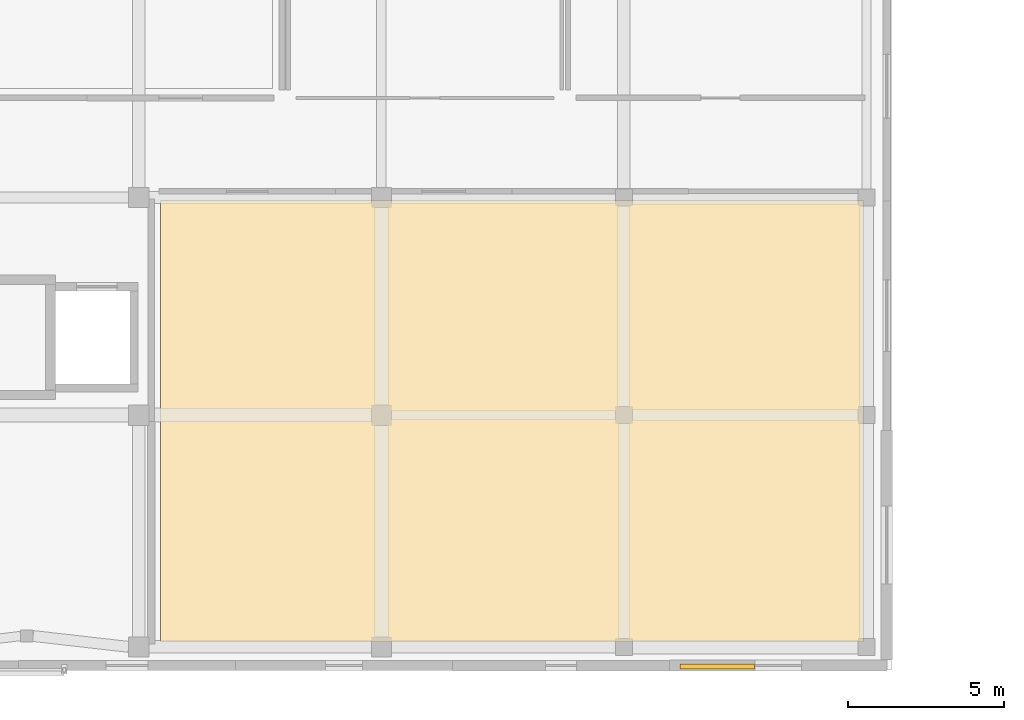
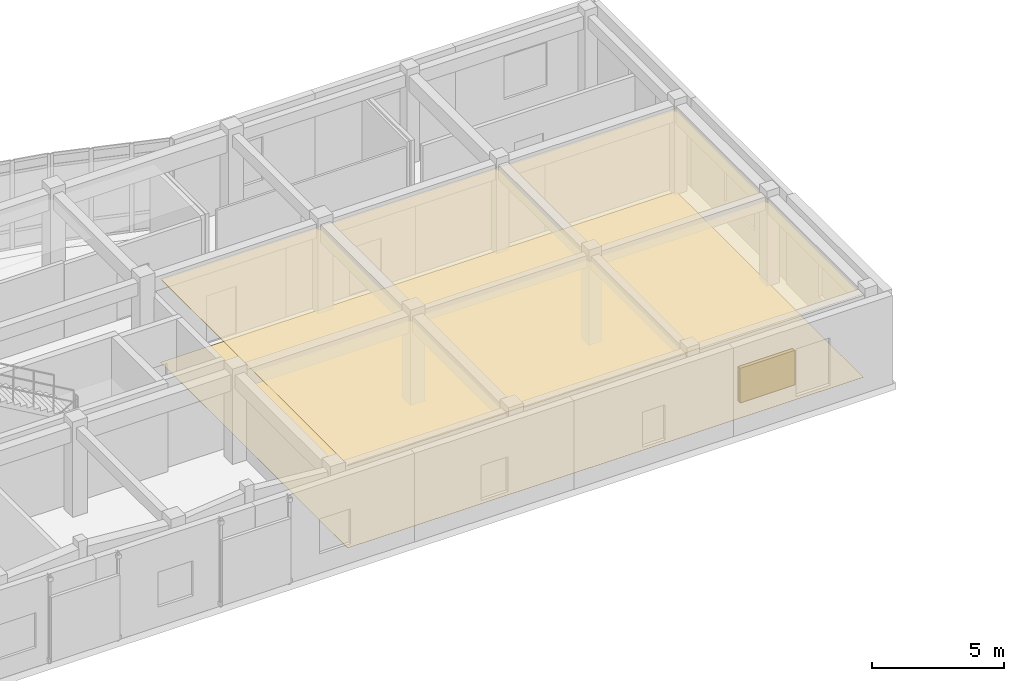
# One storey, part 137 of 142: 2 coverings, 1 shading device.
"""IFC4 building model written with IfcOpenShell, lengths in metres."""

import ifcopenshell
import ifcopenshell.guid

model = None  # the IFC model being written
_history = None  # IfcOwnerHistory: only IFC2X3 demands one
_inside = {}  # id of a spatial element -> (the spatial element, [elements in it])
_under = {}  # id of a project, library or spatial element -> (it, [spatial elements below it])
_declared = {}  # id of a project -> (the project, [libraries it declares])
_typed = {}  # id of a type object -> (the type object, [elements of that type])
_made_of = {}  # id of a material, layer set ... -> (it, [elements and type objects made of it])


def new_model(schema):
    """Start an empty IFC model of exactly this schema.

    Asked for "IFC4X3", IfcOpenShell would pick the latest addendum, in which some entities
    have other attributes; the version numbers below select the first issue.
    IFC2X3 requires an IfcOwnerHistory on every rooted entity: one is made here for all.
    """
    global model, _history
    if schema == "IFC4X3":
        model = ifcopenshell.file(schema_version=(4, 3, 0, 0))
    else:
        model = ifcopenshell.file(schema=schema)
    _inside.clear()
    _under.clear()
    _declared.clear()
    _typed.clear()
    _made_of.clear()
    _history = None
    if model.schema == "IFC2X3":
        org = make("IfcOrganization", Name="unknown")
        user = make(
            "IfcPersonAndOrganization",
            ThePerson=make("IfcPerson", FamilyName="unknown"),
            TheOrganization=org,
        )
        app = make(
            "IfcApplication",
            ApplicationDeveloper=org,
            Version="unknown",
            ApplicationFullName="unknown",
            ApplicationIdentifier="unknown",
        )
        _history = make(
            "IfcOwnerHistory",
            OwningUser=user,
            OwningApplication=app,
            ChangeAction="ADDED",
            CreationDate=0,
        )
    return model


def make(cls, **values):
    """One entity of the class cls with the attributes given. An attribute that is None is left unset."""
    return model.create_entity(
        cls, **{name: value for name, value in values.items() if value is not None}
    )


def rooted(cls, **values):
    """An entity with a GlobalId (a new one), such as an element, a storey or a relation."""
    return make(cls, GlobalId=ifcopenshell.guid.new(), OwnerHistory=_history, **values)


def si_unit(unit_type, name, prefix=None):
    """IfcSIUnit, for example si_unit("LENGTHUNIT", "METRE", prefix="MILLI")."""
    return make("IfcSIUnit", UnitType=unit_type, Prefix=prefix, Name=name)


def assignment(units):
    """IfcUnitAssignment: the units of a project."""
    return None if units is None else make("IfcUnitAssignment", Units=units)


def point(xyz):
    """IfcCartesianPoint."""
    return None if xyz is None else make("IfcCartesianPoint", Coordinates=xyz)


def direction(xyz):
    """IfcDirection."""
    return None if xyz is None else make("IfcDirection", DirectionRatios=xyz)


def frame(location, z_axis=None, x_axis=None):
    """IfcAxis2Placement3D, a coordinate frame: its origin and axes. An axis left out is left unset."""
    return make(
        "IfcAxis2Placement3D",
        Location=point(location),
        Axis=direction(z_axis),
        RefDirection=direction(x_axis),
    )


def frame_2d(location, x_axis=None):
    """IfcAxis2Placement2D, a coordinate frame in the plane: its origin and x axis."""
    return make(
        "IfcAxis2Placement2D", Location=point(location), RefDirection=direction(x_axis)
    )


def origin():
    """The frame at (0, 0, 0) with its axes left unset."""
    return frame((0.0, 0.0, 0.0))


def origin_2d():
    """The frame at (0, 0) in the plane with its x axis left unset."""
    return frame_2d((0.0, 0.0))


def place(relative_to, where):
    """IfcLocalPlacement: puts the frame where relative to a parent placement (None: the world)."""
    return make(
        "IfcLocalPlacement", PlacementRelTo=relative_to, RelativePlacement=where
    )


def context(
    kind, dimensions, precision=None, world=None, true_north=None, identifier=None
):
    """IfcGeometricRepresentationContext, for example the 3D "Model" context."""
    return make(
        "IfcGeometricRepresentationContext",
        ContextIdentifier=identifier,
        ContextType=kind,
        CoordinateSpaceDimension=dimensions,
        Precision=precision,
        WorldCoordinateSystem=world,
        TrueNorth=true_north,
    )


def subcontext(parent, identifier, kind, view, scale=None):
    """IfcGeometricRepresentationSubContext, for example "Body" below "Model"."""
    return make(
        "IfcGeometricRepresentationSubContext",
        ContextIdentifier=identifier,
        ContextType=kind,
        ParentContext=parent,
        TargetScale=scale,
        TargetView=view,
    )


def project(units=None, contexts=None):
    """IfcProject with its units and contexts."""
    return rooted(
        "IfcProject",
        Name="project",
        RepresentationContexts=contexts,
        UnitsInContext=assignment(units),
    )


def spatial(cls, under=None, at=None, **own):
    """A site, building, storey or space (cls), placed at a placement, below another one or the project."""
    s = rooted(cls, ObjectPlacement=at, **own)
    if under is not None:
        _under.setdefault(under.id(), (under, []))[1].append(s)
    return s


def polyline(points):
    """IfcPolyline through the points."""
    return make("IfcPolyline", Points=[point(p) for p in points])


def profile(cls, at=None, kind="AREA", **sizes):
    """A parametric profile (cls). Its sizes go by their IFC names, for example OverallWidth=200.0."""
    return make(cls, ProfileType=kind, Position=at, **sizes)


def rectangle(**sizes):
    """IfcRectangleProfileDef."""
    return profile("IfcRectangleProfileDef", **sizes)


def outline(outer, holes=None, kind="AREA"):
    """IfcArbitraryClosedProfileDef: a profile drawn as a closed curve; with holes, ...WithVoids."""
    if holes is None:
        return make("IfcArbitraryClosedProfileDef", ProfileType=kind, OuterCurve=outer)
    return make(
        "IfcArbitraryProfileDefWithVoids",
        ProfileType=kind,
        OuterCurve=outer,
        InnerCurves=holes,
    )


def extrude(swept, where, along, depth):
    """IfcExtrudedAreaSolid: the profile swept, set in the frame where, extruded along a direction by depth."""
    return make(
        "IfcExtrudedAreaSolid",
        SweptArea=swept,
        Position=where,
        ExtrudedDirection=direction(along),
        Depth=depth,
    )


def shape(context_of_items, identifier, shape_type, items):
    """IfcShapeRepresentation: the items that make up one representation, for example the "Body"."""
    return make(
        "IfcShapeRepresentation",
        ContextOfItems=context_of_items,
        RepresentationIdentifier=identifier,
        RepresentationType=shape_type,
        Items=items,
    )


def material(Name=None, Category=None):
    """IfcMaterial."""
    return make("IfcMaterial", Name=Name, Category=Category)


def layer(
    of_material, thickness, ventilated=None, Name=None, Category=None, Priority=None
):
    """IfcMaterialLayer: one layer of a wall or slab, of a material (None: an air gap)."""
    return make(
        "IfcMaterialLayer",
        Material=of_material,
        LayerThickness=thickness,
        IsVentilated=ventilated,
        Name=Name,
        Category=Category,
        Priority=Priority,
    )


def layer_set(layers, Name=None):
    """IfcMaterialLayerSet."""
    return make("IfcMaterialLayerSet", MaterialLayers=layers, LayerSetName=Name)


def made_of(thing, what):
    """Note that an element or type object is made of a material, layer set ...; save() writes the relation."""
    if what is not None:
        _made_of.setdefault(what.id(), (what, []))[1].append(thing)
    return thing


def type_object(cls, material=None, **own):
    """A type object (cls), such as IfcWallType, which elements share."""
    return made_of(rooted(cls, **own), material)


def element(
    cls,
    number,
    at=None,
    inside=None,
    cuts=None,
    type_object=None,
    material=None,
    context=None,
    identifier="Body",
    shape_type=None,
    held_by="IfcProductDefinitionShape",
    body=None,
    shapes=None,
    **own,
):
    """One element of the class cls, such as IfcWall. Its Tag is "e" and its number.

    at: its placement. inside: the storey or other place that contains it. cuts: it is an
    opening in that element (IfcRelVoidsElement). A single representation is given by context,
    identifier, shape_type and body (its items); several are given by shapes. held_by: the class
    of the entity that holds the representations. save() writes the other relations.
    """
    e = rooted(cls, Tag="e%d" % number, ObjectPlacement=at, **own)
    if body is not None:
        shapes = [shape(context, identifier, shape_type, body)]
    if shapes is not None:
        e.Representation = make(held_by, Representations=shapes)
    if inside is not None:
        _inside.setdefault(inside.id(), (inside, []))[1].append(e)
    if cuts is not None:
        rooted(
            "IfcRelVoidsElement", RelatingBuildingElement=cuts, RelatedOpeningElement=e
        )
    if type_object is not None:
        _typed.setdefault(type_object.id(), (type_object, []))[1].append(e)
    return made_of(e, material)


def aggregate(whole, parts):
    """IfcRelAggregates: a whole, such as a stair, and the parts it consists of."""
    return rooted("IfcRelAggregates", RelatingObject=whole, RelatedObjects=parts)


def save(model, path):
    """Write the relations noted so far, then the file.

    IfcRelAggregates (storeys below a building ...), IfcRelContainedInSpatialStructure (elements
    in a storey), IfcRelDefinesByType, IfcRelAssociatesMaterial and IfcRelDeclares: one each for
    every whole, place, type object, material and project.
    """
    for whole, parts in _under.values():
        aggregate(whole, parts)
    for where, things in _inside.values():
        rooted(
            "IfcRelContainedInSpatialStructure",
            RelatedElements=things,
            RelatingStructure=where,
        )
    for kind, things in _typed.values():
        rooted("IfcRelDefinesByType", RelatedObjects=things, RelatingType=kind)
    for what, things in _made_of.values():
        rooted("IfcRelAssociatesMaterial", RelatedObjects=things, RelatingMaterial=what)
    for by, libraries in _declared.values():
        rooted("IfcRelDeclares", RelatingContext=by, RelatedDefinitions=libraries)
    model.write(path)


model = new_model("IFC4")

# Units and contexts
model_context = context("Model", 3, precision=1e-05, world=origin(), true_north=direction((0.0, 1.0)))
body_context = subcontext(model_context, "Body", "Model", "MODEL_VIEW")
ifc_project = project(units=[si_unit("LENGTHUNIT", "METRE"), si_unit("AREAUNIT", "SQUARE_METRE"), si_unit("VOLUMEUNIT", "CUBIC_METRE"), si_unit("PLANEANGLEUNIT", "RADIAN"), si_unit("MASSUNIT", "GRAM", prefix="KILO")], contexts=[model_context])

# Site, building, storey
site_placement = place(None, origin())
site = spatial("IfcSite", under=ifc_project, at=site_placement, CompositionType="ELEMENT")
building_placement = place(site_placement, origin())
building = spatial("IfcBuilding", under=site, at=building_placement, Name="Valcora Specialist Clinic", CompositionType="ELEMENT")
storey_placement = place(building_placement, frame((0.0, 0.0, 5.10009765625)))
storey = spatial("IfcBuildingStorey", under=building, at=storey_placement, Name="L01", CompositionType="ELEMENT", Elevation=5.10009765625)

# Coverings
ifc_material_1 = material(Name="Acoustic Mineral Ceiling Tile")
ifc_layer_1 = layer(ifc_material_1, 0.02001953125)
ifc_layer_set_1 = layer_set([ifc_layer_1], Name="Acoustic Mineral Ceiling Tile")
covering_type_1 = type_object("IfcCoveringType", Name="TY-CV-CLG020", PredefinedType="CEILING", material=ifc_layer_set_1)
covering_1_placement = place(storey_placement, frame((0.0, 0.0, 3.849853515625)))
element("IfcCovering", 1, at=covering_1_placement, inside=storey, type_object=covering_type_1, Name="Acoustic ceiling tile 13", PredefinedType="CEILING", context=body_context, shape_type="SweptSolid", body=[
    extrude(outline(polyline([(122.699951171875, 15.10009765625), (122.699951171875, 0.89990234375), (100.10009765625, 0.89990234375), (100.10009765625, 15.10009765625), (122.699951171875, 15.10009765625)])), origin(), (0.0, 0.0, 1.0), 0.02001953125),
])
ifc_material_2 = material(Name="Antimicrobial Vinyl Clinical Flooring")
ifc_layer_2 = layer(ifc_material_2, 0.008056640625)
ifc_layer_set_2 = layer_set([ifc_layer_2], Name="Antimicrobial Vinyl Clinical Flooring")
covering_type_2 = type_object("IfcCoveringType", Name="TY-CV-FLR008", PredefinedType="FLOORING", material=ifc_layer_set_2)
covering_2_placement = place(storey_placement, origin())
element("IfcCovering", 2, at=covering_2_placement, inside=storey, type_object=covering_type_2, Name="Antimicrobial clinical flooring 13", PredefinedType="FLOORING", context=body_context, shape_type="SweptSolid", body=[
    extrude(outline(polyline([(122.699951171875, 15.10009765625), (122.699951171875, 0.89990234375), (100.10009765625, 0.89990234375), (100.10009765625, 15.10009765625), (122.699951171875, 15.10009765625)])), origin(), (0.0, 0.0, 1.0), 0.0078125),
])

# Shading device
ifc_material_3 = material(Name="Anodized Bronze Aluminium 6063-T6", Category="aluminium")
ifc_layer_3 = layer(ifc_material_3, 0.14990234375)
ifc_layer_set_3 = layer_set([ifc_layer_3], Name="Anodized Bronze Aluminium 6063-T6")
shading_device_type = type_object("IfcShadingDeviceType", Name="TY-SD-LVR240", PredefinedType="JALOUSIE", material=ifc_layer_set_3)
shading_device_placement = place(storey_placement, frame((118.0, 0.1201171875, 1.39990234375), z_axis=(0.0, 0.0, 1.0), x_axis=(1.0, 0.0, 0.0)))
element("IfcShadingDevice", 3, at=shading_device_placement, inside=storey, type_object=shading_device_type, Name="Acoustic plant louvre 47", PredefinedType="JALOUSIE", context=body_context, shape_type="SweptSolid", body=[
    extrude(rectangle(XDim=2.39990234375, YDim=0.14990234375, at=origin_2d()), origin(), (0.0, 0.0, 1.0), 1.60009765625),
])

save(model, "model.ifc")
